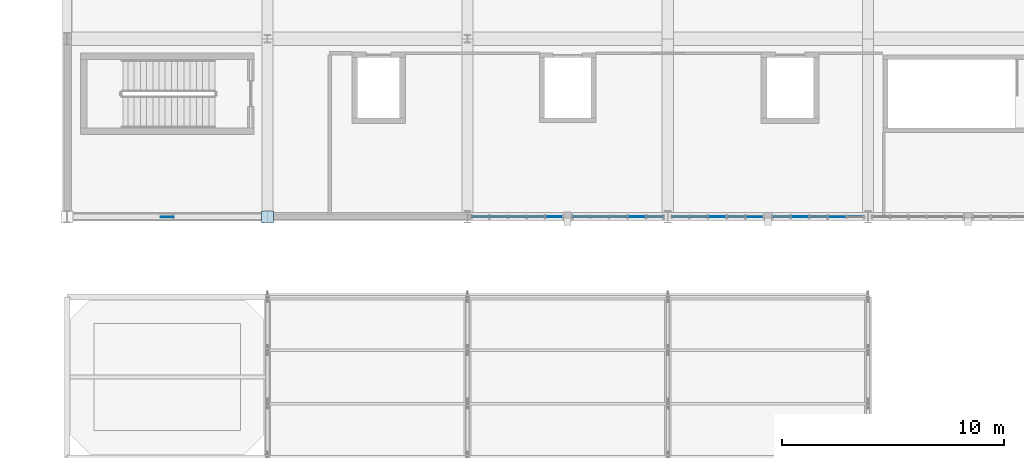
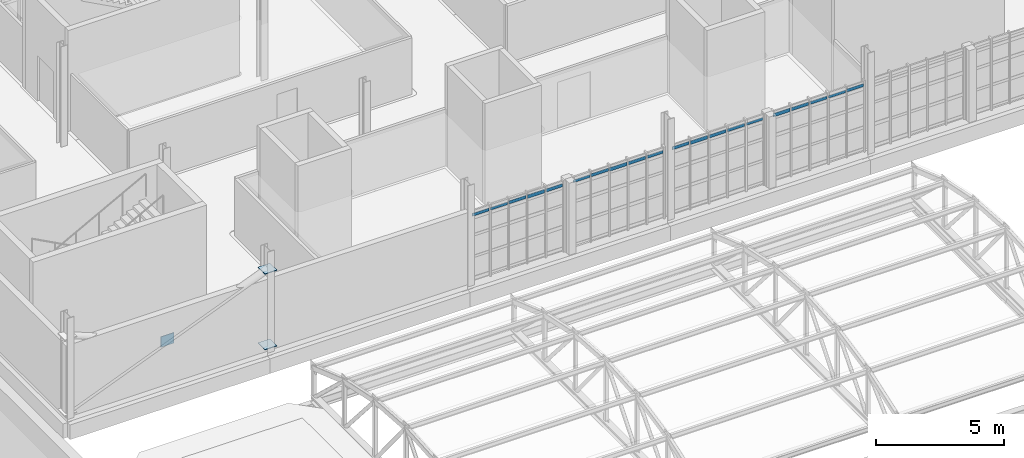
# One storey, part 98 of 128: 23 plates, 4 elements without a shape of their own.
"""IFC4 building model written with IfcOpenShell, lengths in metres."""

from ifc_helpers import new_model, si_unit, direction, frame, origin, origin_2d, place, context, subcontext, project, spatial, rectangle, extrude, material, layer, layer_set, type_object, element, aggregate, save


model = new_model("IFC4")

# Units and contexts
model_context = context("Model", 3, precision=1e-05, world=origin(), true_north=direction((0.0, 1.0)))
body_context = subcontext(model_context, "Body", "Model", "MODEL_VIEW")
ifc_project = project(units=[si_unit("LENGTHUNIT", "METRE"), si_unit("AREAUNIT", "SQUARE_METRE"), si_unit("VOLUMEUNIT", "CUBIC_METRE"), si_unit("PLANEANGLEUNIT", "RADIAN"), si_unit("MASSUNIT", "GRAM", prefix="KILO")], contexts=[model_context])

# Site, building, storey
site_placement = place(None, origin())
site = spatial("IfcSite", under=ifc_project, at=site_placement, CompositionType="ELEMENT")
building_placement = place(site_placement, origin())
building = spatial("IfcBuilding", under=site, at=building_placement, Name="Serraforn Aerial Cableway Station", CompositionType="ELEMENT")
storey_placement = place(building_placement, frame((0.0, 0.0, 9.0)))
storey = spatial("IfcBuildingStorey", under=building, at=storey_placement, Name="L02", CompositionType="ELEMENT", Elevation=9.0)

# Curtain wall, plate
ifc_material_1 = material(Name="Anodised bronze unitised curtain wall")
curtain_wall_type_1 = type_object("IfcCurtainWallType", Name="CW-SYS-21", PredefinedType="USERDEFINED", material=ifc_material_1)
curtain_wall_1_placement = place(storey_placement, origin())
curtain_wall_1 = element("IfcCurtainWall", 1, at=curtain_wall_1_placement, inside=storey, type_object=curtain_wall_type_1, Name="Unitised Curtain Wall CW-CV-L02-S4A", ObjectType="UNITISED CURTAIN WALL", PredefinedType="USERDEFINED")
ifc_material_2 = material(Name="Solar-control low-E double glazing", Category="glass")
ifc_layer_1 = layer(ifc_material_2, 0.02587890625)
ifc_layer_set_1 = layer_set([ifc_layer_1], Name="Solar-control low-E double glazing")
plate_type_1 = type_object("IfcPlateType", Name="CW-GLZ-1", PredefinedType="CURTAIN_PANEL", material=ifc_layer_set_1)
plate_1_placement = place(storey_placement, frame((58.494140625, 18.0, 3.08251953125), z_axis=(0.0, 0.0, 1.0), x_axis=(1.0, 0.0, 0.0)))
plate_1 = element("IfcPlate", 2, at=plate_1_placement, type_object=plate_type_1, Name="Curtain Wall Panel CW-CV-L02-S4A-P5-4", PredefinedType="CURTAIN_PANEL", context=body_context, shape_type="SweptSolid", body=[
    extrude(rectangle(XDim=0.745849609375, YDim=0.02587890625, at=origin_2d()), origin(), (0.0, 0.0, 1.0), 0.1201171875),
])

# Curtain wall, plates
curtain_wall_type_2 = type_object("IfcCurtainWallType", Name="CW-SYS-22", PredefinedType="USERDEFINED", material=ifc_material_1)
curtain_wall_2_placement = place(storey_placement, origin())
curtain_wall_2 = element("IfcCurtainWall", 3, at=curtain_wall_2_placement, inside=storey, type_object=curtain_wall_type_2, Name="Unitised Curtain Wall CW-CV-L02-S4B", ObjectType="UNITISED CURTAIN WALL", PredefinedType="USERDEFINED")
plate_2_placement = place(storey_placement, frame((62.205322265625, 18.0, 3.08251953125), z_axis=(0.0, 0.0, 1.0), x_axis=(1.0, 0.0, 0.0)))
plate_2 = element("IfcPlate", 4, at=plate_2_placement, type_object=plate_type_1, Name="Curtain Wall Panel CW-CV-L02-S4B-P4-4", PredefinedType="CURTAIN_PANEL", context=body_context, shape_type="SweptSolid", body=[
    extrude(rectangle(XDim=0.7734375, YDim=0.02587890625, at=origin_2d()), origin(), (0.0, 0.0, 1.0), 0.1201171875),
])
ifc_layer_2 = layer(ifc_material_2, 0.028076171875)
ifc_layer_set_2 = layer_set([ifc_layer_2], Name="Solar-control low-E double glazing")
plate_type_2 = type_object("IfcPlateType", Name="CW-GLZ-2", PredefinedType="CURTAIN_PANEL", material=ifc_layer_set_2)
plate_3_placement = place(storey_placement, frame((63.0185546875, 18.0, 3.090087890625), z_axis=(0.0, 0.0, 1.0), x_axis=(1.0, 0.0, 0.0)))
plate_3 = element("IfcPlate", 5, at=plate_3_placement, type_object=plate_type_2, Name="Curtain Wall Panel CW-CV-L02-S4B-P5-4", PredefinedType="CURTAIN_PANEL", context=body_context, shape_type="SweptSolid", body=[
    extrude(rectangle(XDim=0.7509765625, YDim=0.028076171875, at=origin_2d()), origin(), (0.0, 0.0, 1.0), 0.14013671875),
])

curtain_wall_type_3 = type_object("IfcCurtainWallType", Name="CW-SYS-19", PredefinedType="USERDEFINED", material=ifc_material_1)
curtain_wall_3_placement = place(storey_placement, origin())
curtain_wall_3 = element("IfcCurtainWall", 6, at=curtain_wall_3_placement, inside=storey, type_object=curtain_wall_type_3, Name="Unitised Curtain Wall CW-CV-L02-S3A", ObjectType="UNITISED CURTAIN WALL", PredefinedType="USERDEFINED")
ifc_layer_3 = layer(ifc_material_2, 0.030029296875)
ifc_layer_set_3 = layer_set([ifc_layer_3], Name="Solar-control low-E double glazing")
plate_type_3 = type_object("IfcPlateType", Name="CW-GLZ-3", PredefinedType="CURTAIN_PANEL", material=ifc_layer_set_3)
plate_4_placement = place(storey_placement, frame((46.181396484375, 18.0, 3.0751953125), z_axis=(0.0, 0.0, 1.0), x_axis=(1.0, 0.0, 0.0)))
plate_4 = element("IfcPlate", 7, at=plate_4_placement, type_object=plate_type_3, Name="Curtain Wall Panel CW-CV-L02-S3A-P1-4", PredefinedType="CURTAIN_PANEL", context=body_context, shape_type="SweptSolid", body=[
    extrude(rectangle(XDim=0.73095703125, YDim=0.030029296875, at=origin_2d()), origin(), (0.0, 0.0, 1.0), 0.135009765625),
])
ifc_layer_4 = layer(ifc_material_2, 0.031982421875)
ifc_layer_set_4 = layer_set([ifc_layer_4], Name="Solar-control low-E double glazing")
plate_type_4 = type_object("IfcPlateType", Name="CW-GLZ-4", PredefinedType="CURTAIN_PANEL", material=ifc_layer_set_4)
plate_5_placement = place(storey_placement, frame((47.004638671875, 18.0, 3.08251953125), z_axis=(0.0, 0.0, 1.0), x_axis=(1.0, 0.0, 0.0)))
plate_5 = element("IfcPlate", 8, at=plate_5_placement, type_object=plate_type_4, Name="Curtain Wall Panel CW-CV-L02-S3A-P2-4", PredefinedType="CURTAIN_PANEL", context=body_context, shape_type="SweptSolid", body=[
    extrude(rectangle(XDim=0.7734375, YDim=0.031982421875, at=origin_2d()), origin(), (0.0, 0.0, 1.0), 0.1201171875),
])

# Curtain wall, plate
curtain_wall_type_4 = type_object("IfcCurtainWallType", Name="CW-SYS-20", PredefinedType="USERDEFINED", material=ifc_material_1)
curtain_wall_4_placement = place(storey_placement, origin())
curtain_wall_4 = element("IfcCurtainWall", 9, at=curtain_wall_4_placement, inside=storey, type_object=curtain_wall_type_4, Name="Unitised Curtain Wall CW-CV-L02-S3B", ObjectType="UNITISED CURTAIN WALL", PredefinedType="USERDEFINED")
plate_6_placement = place(storey_placement, frame((50.720947265625, 18.0, 3.08251953125), z_axis=(0.0, 0.0, 1.0), x_axis=(1.0, 0.0, 0.0)))
plate_6 = element("IfcPlate", 10, at=plate_6_placement, type_object=plate_type_4, Name="Curtain Wall Panel CW-CV-L02-S3B-P1-4", PredefinedType="CURTAIN_PANEL", context=body_context, shape_type="SweptSolid", body=[
    extrude(rectangle(XDim=0.73583984375, YDim=0.031982421875, at=origin_2d()), origin(), (0.0, 0.0, 1.0), 0.1201171875),
])

# Plate
ifc_layer_5 = layer(ifc_material_2, 0.033935546875)
ifc_layer_set_5 = layer_set([ifc_layer_5], Name="Solar-control low-E double glazing")
plate_type_5 = type_object("IfcPlateType", Name="CW-GLZ-5", PredefinedType="CURTAIN_PANEL", material=ifc_layer_set_5)
plate_7_placement = place(storey_placement, frame((47.832763671875, 18.0, 3.090087890625), z_axis=(0.0, 0.0, 1.0), x_axis=(1.0, 0.0, 0.0)))
plate_7 = element("IfcPlate", 11, at=plate_7_placement, type_object=plate_type_5, Name="Curtain Wall Panel CW-CV-L02-S3A-P3-4", PredefinedType="CURTAIN_PANEL", context=body_context, shape_type="SweptSolid", body=[
    extrude(rectangle(XDim=0.781005859375, YDim=0.033935546875, at=origin_2d()), origin(), (0.0, 0.0, 1.0), 0.14013671875),
])

plate_8_placement = place(storey_placement, frame((51.5302734375, 18.0, 3.090087890625), z_axis=(0.0, 0.0, 1.0), x_axis=(1.0, 0.0, 0.0)))
plate_8 = element("IfcPlate", 12, at=plate_8_placement, type_object=plate_type_5, Name="Curtain Wall Panel CW-CV-L02-S3B-P2-4", PredefinedType="CURTAIN_PANEL", context=body_context, shape_type="SweptSolid", body=[
    extrude(rectangle(XDim=0.781005859375, YDim=0.033935546875, at=origin_2d()), origin(), (0.0, 0.0, 1.0), 0.14013671875),
])

plate_9_placement = place(storey_placement, frame((55.177734375, 18.0, 3.090087890625), z_axis=(0.0, 0.0, 1.0), x_axis=(1.0, 0.0, 0.0)))
plate_9 = element("IfcPlate", 13, at=plate_9_placement, type_object=plate_type_5, Name="Curtain Wall Panel CW-CV-L02-S4A-P1-4", PredefinedType="CURTAIN_PANEL", context=body_context, shape_type="SweptSolid", body=[
    extrude(rectangle(XDim=0.75341796875, YDim=0.033935546875, at=origin_2d()), origin(), (0.0, 0.0, 1.0), 0.14013671875),
])

ifc_layer_6 = layer(ifc_material_2, 0.035888671875)
ifc_layer_set_6 = layer_set([ifc_layer_6], Name="Solar-control low-E double glazing")
plate_type_6 = type_object("IfcPlateType", Name="CW-GLZ-6", PredefinedType="CURTAIN_PANEL", material=ifc_layer_set_6)
plate_10_placement = place(storey_placement, frame((48.6669921875, 18.0, 3.0625), z_axis=(0.0, 0.0, 1.0), x_axis=(1.0, 0.0, 0.0)))
plate_10 = element("IfcPlate", 14, at=plate_10_placement, type_object=plate_type_6, Name="Curtain Wall Panel CW-CV-L02-S3A-P4-4", PredefinedType="CURTAIN_PANEL", context=body_context, shape_type="SweptSolid", body=[
    extrude(rectangle(XDim=0.77587890625, YDim=0.035888671875, at=origin_2d()), origin(), (0.0, 0.0, 1.0), 0.16259765625),
])

plate_11_placement = place(storey_placement, frame((52.36474609375, 18.0, 3.0625), z_axis=(0.0, 0.0, 1.0), x_axis=(1.0, 0.0, 0.0)))
plate_11 = element("IfcPlate", 15, at=plate_11_placement, type_object=plate_type_6, Name="Curtain Wall Panel CW-CV-L02-S3B-P3-4", PredefinedType="CURTAIN_PANEL", context=body_context, shape_type="SweptSolid", body=[
    extrude(rectangle(XDim=0.77587890625, YDim=0.035888671875, at=origin_2d()), origin(), (0.0, 0.0, 1.0), 0.16259765625),
])

plate_12_placement = place(storey_placement, frame((55.998291015625, 18.0, 3.0625), z_axis=(0.0, 0.0, 1.0), x_axis=(1.0, 0.0, 0.0)))
plate_12 = element("IfcPlate", 16, at=plate_12_placement, type_object=plate_type_6, Name="Curtain Wall Panel CW-CV-L02-S4A-P2-4", PredefinedType="CURTAIN_PANEL", context=body_context, shape_type="SweptSolid", body=[
    extrude(rectangle(XDim=0.77587890625, YDim=0.035888671875, at=origin_2d()), origin(), (0.0, 0.0, 1.0), 0.16259765625),
])

plate_13_placement = place(storey_placement, frame((59.7109375, 18.0, 3.0625), z_axis=(0.0, 0.0, 1.0), x_axis=(1.0, 0.0, 0.0)))
plate_13 = element("IfcPlate", 17, at=plate_13_placement, type_object=plate_type_6, Name="Curtain Wall Panel CW-CV-L02-S4B-P1-4", PredefinedType="CURTAIN_PANEL", context=body_context, shape_type="SweptSolid", body=[
    extrude(rectangle(XDim=0.745849609375, YDim=0.035888671875, at=origin_2d()), origin(), (0.0, 0.0, 1.0), 0.16259765625),
])

ifc_layer_7 = layer(ifc_material_2, 0.029052734375)
ifc_layer_set_7 = layer_set([ifc_layer_7], Name="Solar-control low-E double glazing")
plate_type_7 = type_object("IfcPlateType", Name="CW-GLZ-7", PredefinedType="CURTAIN_PANEL", material=ifc_layer_set_7)
plate_14_placement = place(storey_placement, frame((49.484130859375, 18.0, 3.0673828125), z_axis=(0.0, 0.0, 1.0), x_axis=(1.0, 0.0, 0.0)))
plate_14 = element("IfcPlate", 18, at=plate_14_placement, type_object=plate_type_7, Name="Curtain Wall Panel CW-CV-L02-S3A-P5-4", PredefinedType="CURTAIN_PANEL", context=body_context, shape_type="SweptSolid", body=[
    extrude(rectangle(XDim=0.73583984375, YDim=0.029052734375, at=origin_2d()), origin(), (0.0, 0.0, 1.0), 0.150146484375),
])

aggregate(curtain_wall_3, [plate_4, plate_5, plate_7, plate_10, plate_14])

plate_15_placement = place(storey_placement, frame((53.19921875, 18.0, 3.0673828125), z_axis=(0.0, 0.0, 1.0), x_axis=(1.0, 0.0, 0.0)))
plate_15 = element("IfcPlate", 19, at=plate_15_placement, type_object=plate_type_7, Name="Curtain Wall Panel CW-CV-L02-S3B-P4-4", PredefinedType="CURTAIN_PANEL", context=body_context, shape_type="SweptSolid", body=[
    extrude(rectangle(XDim=0.77099609375, YDim=0.029052734375, at=origin_2d()), origin(), (0.0, 0.0, 1.0), 0.150146484375),
])

plate_16_placement = place(storey_placement, frame((56.832763671875, 18.0, 3.0673828125), z_axis=(0.0, 0.0, 1.0), x_axis=(1.0, 0.0, 0.0)))
plate_16 = element("IfcPlate", 20, at=plate_16_placement, type_object=plate_type_7, Name="Curtain Wall Panel CW-CV-L02-S4A-P3-4", PredefinedType="CURTAIN_PANEL", context=body_context, shape_type="SweptSolid", body=[
    extrude(rectangle(XDim=0.77099609375, YDim=0.029052734375, at=origin_2d()), origin(), (0.0, 0.0, 1.0), 0.150146484375),
])

plate_17_placement = place(storey_placement, frame((60.5302734375, 18.0, 3.0673828125), z_axis=(0.0, 0.0, 1.0), x_axis=(1.0, 0.0, 0.0)))
plate_17 = element("IfcPlate", 21, at=plate_17_placement, type_object=plate_type_7, Name="Curtain Wall Panel CW-CV-L02-S4B-P2-4", PredefinedType="CURTAIN_PANEL", context=body_context, shape_type="SweptSolid", body=[
    extrude(rectangle(XDim=0.77099609375, YDim=0.029052734375, at=origin_2d()), origin(), (0.0, 0.0, 1.0), 0.150146484375),
])

ifc_layer_8 = layer(ifc_material_2, 0.031005859375)
ifc_layer_set_8 = layer_set([ifc_layer_8], Name="Solar-control low-E double glazing")
plate_type_8 = type_object("IfcPlateType", Name="CW-GLZ-8", PredefinedType="CURTAIN_PANEL", material=ifc_layer_set_8)
plate_18_placement = place(storey_placement, frame((54.014892578125, 18.0, 3.0751953125), z_axis=(0.0, 0.0, 1.0), x_axis=(1.0, 0.0, 0.0)))
plate_18 = element("IfcPlate", 22, at=plate_18_placement, type_object=plate_type_8, Name="Curtain Wall Panel CW-CV-L02-S3B-P5-4", PredefinedType="CURTAIN_PANEL", context=body_context, shape_type="SweptSolid", body=[
    extrude(rectangle(XDim=0.728515625, YDim=0.031005859375, at=origin_2d()), origin(), (0.0, 0.0, 1.0), 0.135009765625),
])

aggregate(curtain_wall_4, [plate_6, plate_8, plate_11, plate_15, plate_18])

plate_19_placement = place(storey_placement, frame((57.6669921875, 18.0, 3.0751953125), z_axis=(0.0, 0.0, 1.0), x_axis=(1.0, 0.0, 0.0)))
plate_19 = element("IfcPlate", 23, at=plate_19_placement, type_object=plate_type_8, Name="Curtain Wall Panel CW-CV-L02-S4A-P4-4", PredefinedType="CURTAIN_PANEL", context=body_context, shape_type="SweptSolid", body=[
    extrude(rectangle(XDim=0.765869140625, YDim=0.031005859375, at=origin_2d()), origin(), (0.0, 0.0, 1.0), 0.135009765625),
])

aggregate(curtain_wall_1, [plate_9, plate_12, plate_16, plate_19, plate_1])

plate_20_placement = place(storey_placement, frame((61.36474609375, 18.0, 3.0751953125), z_axis=(0.0, 0.0, 1.0), x_axis=(1.0, 0.0, 0.0)))
plate_20 = element("IfcPlate", 24, at=plate_20_placement, type_object=plate_type_8, Name="Curtain Wall Panel CW-CV-L02-S4B-P3-4", PredefinedType="CURTAIN_PANEL", context=body_context, shape_type="SweptSolid", body=[
    extrude(rectangle(XDim=0.765869140625, YDim=0.031005859375, at=origin_2d()), origin(), (0.0, 0.0, 1.0), 0.135009765625),
])

aggregate(curtain_wall_2, [plate_13, plate_17, plate_20, plate_2, plate_3])

# Plates
ifc_material_3 = material(Name="Steel S355J2", Category="steel")
ifc_layer_9 = layer(ifc_material_3, 0.031982421875)
ifc_layer_set_9 = layer_set([ifc_layer_9], Name="Steel S355J2")
plate_type_9 = type_object("IfcPlateType", Name="PLT-CAP-32", PredefinedType="USERDEFINED", material=ifc_layer_set_9)
for number, where, z_axis, x_axis, name in (
    (25, (36.60009765625, 18.0, 3.7841796875), (0.0, 0.0, 1.0), (1.0, 0.0, 0.0), "Wind Brace Cap Plate 1-B"),
    (26, (36.60009765625, 18.0, 0.18408203125), (0.0, 0.0, 1.0), (1.0, 0.0, 0.0), "Split X-Brace Outer Cap 1-B"),
):
    element("IfcPlate", number, at=place(storey_placement, frame(where, z_axis=z_axis, x_axis=x_axis)), inside=storey, type_object=plate_type_9, Name=name, ObjectType="CAP PLATE", PredefinedType="USERDEFINED", context=body_context, shape_type="SweptSolid", body=[
        extrude(rectangle(XDim=0.5400390625, YDim=0.5400390625, at=origin_2d()), origin(), (0.0, 0.0, 1.0), 0.031982421875),
    ])
ifc_layer_10 = layer(ifc_material_3, 0.02490234375)
ifc_layer_set_10 = layer_set([ifc_layer_10], Name="Steel S355J2")
plate_type_10 = type_object("IfcPlateType", Name="PLT-GUS-25X", PredefinedType="USERDEFINED", material=ifc_layer_set_10)
plate_21_placement = place(storey_placement, frame((32.10009765625, 18.0, 1.75), z_axis=(0.0, 0.0, 1.0), x_axis=(1.0, 0.0, 0.0)))
element("IfcPlate", 27, at=plate_21_placement, inside=storey, type_object=plate_type_10, Name="X-Brace Crossing Node Gusset 1", ObjectType="GUSSET PLATE", PredefinedType="USERDEFINED", context=body_context, shape_type="SweptSolid", body=[
    extrude(rectangle(XDim=0.60009765625, YDim=0.02490234375, at=origin_2d()), origin(), (0.0, 0.0, 1.0), 0.5),
])

save(model, "model.ifc")
